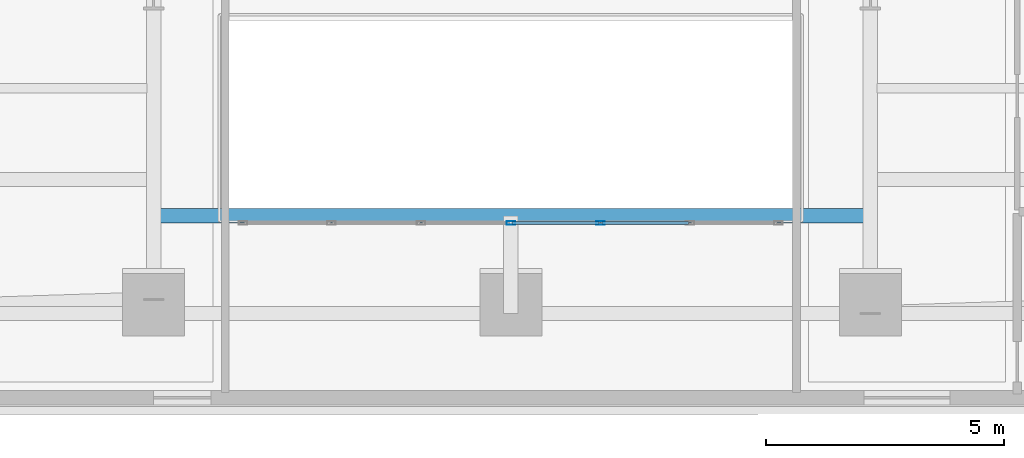
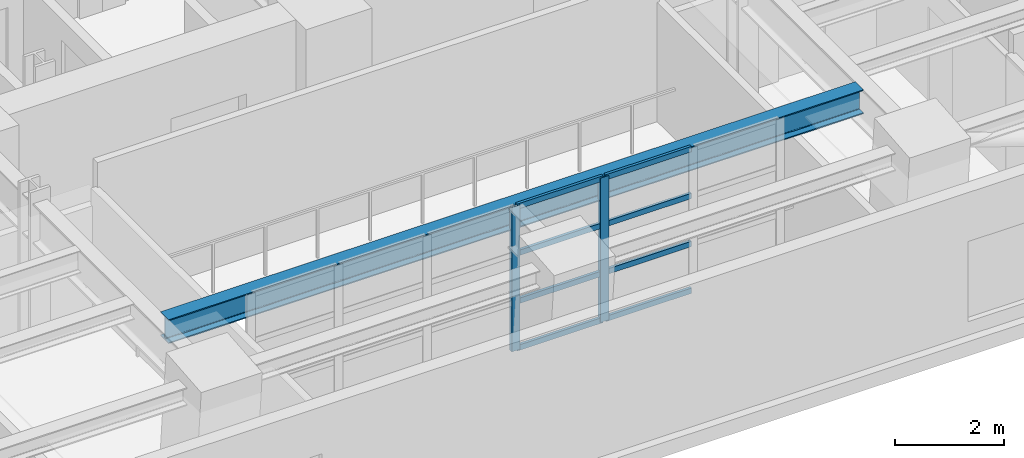
# One storey, part 3 of 16: 10 members, 1 beam, 1 element without a shape of its own.
"""IFC4 building model written with IfcOpenShell, lengths in metres."""

from ifc_helpers import new_model, si_unit, direction, frame, origin, origin_2d, place, context, subcontext, project, spatial, hollow_rectangle, i_section, extrude, material, layer, layer_set, material_profile, profile_set, type_object, element, aggregate, save


model = new_model("IFC4")

# Units and contexts
model_context = context("Model", 3, precision=1e-05, world=origin(), true_north=direction((0.0, 1.0)))
body_context = subcontext(model_context, "Body", "Model", "MODEL_VIEW")
ifc_project = project(units=[si_unit("LENGTHUNIT", "METRE"), si_unit("AREAUNIT", "SQUARE_METRE"), si_unit("VOLUMEUNIT", "CUBIC_METRE"), si_unit("PLANEANGLEUNIT", "RADIAN"), si_unit("MASSUNIT", "GRAM", prefix="KILO")], contexts=[model_context])

# Site, building, storey
site_placement = place(None, origin())
site = spatial("IfcSite", under=ifc_project, at=site_placement, CompositionType="ELEMENT")
building_placement = place(site_placement, origin())
building = spatial("IfcBuilding", under=site, at=building_placement, Name="Zarnavel Station Tower", CompositionType="ELEMENT")
storey_placement = place(building_placement, frame((0.0, 0.0, 79.300048828125)))
storey = spatial("IfcBuildingStorey", under=building, at=storey_placement, Name="L21", CompositionType="ELEMENT", Elevation=79.300048828125)

# Curtain wall, members
ifc_material_1 = material(Name="Aluminium Dark Anodised and Solar-Control Glass", Category="aluminium")
ifc_layer = layer(ifc_material_1, 0.179931640625)
ifc_layer_set = layer_set([ifc_layer], Name="CWS3")
curtain_wall_type = type_object("IfcCurtainWallType", Name="CWS3", PredefinedType="NOTDEFINED", material=ifc_layer_set)
curtain_wall_placement = place(storey_placement, origin())
curtain_wall = element("IfcCurtainWall", 1, at=curtain_wall_placement, inside=storey, type_object=curtain_wall_type, Name="L21 Curtain Wall CWS3-L21-AS", PredefinedType="NOTDEFINED")
ifc_material_2 = material(Name="Steel S355J2 (Black Fluoropolymer Coated)", Category="steel")
ifc_material_profile_1 = material_profile(ifc_material_2, hollow_rectangle(XDim=0.080078125, YDim=0.179931640625, WallThickness=0.00634765625, at=origin_2d()), Name="RHS180x80x6.3")
ifc_profile_set_1 = profile_set([ifc_material_profile_1], Name="Steel S355J2 (Black Fluoropolymer Coated)")
member_type_1 = type_object("IfcMemberType", Name="CWS3_MUL", PredefinedType="MULLION", material=ifc_profile_set_1)
member_1_placement = place(storey_placement, frame((28.800048828125, 20.64990234375, 0.0), z_axis=(0.0, 0.0, 1.0), x_axis=(0.0, 1.0, 0.0)))
member_1 = element("IfcMember", 2, at=member_1_placement, type_object=member_type_1, Name="CW3 mullion 4", PredefinedType="MULLION", context=body_context, shape_type="SweptSolid", body=[
    extrude(hollow_rectangle(XDim=0.080078125, YDim=0.179931640625, WallThickness=0.00634765625, at=origin_2d()), origin(), (0.0, 0.0, 1.0), 3.239990234375),
])
member_2_placement = place(storey_placement, frame((30.683349609375, 20.64990234375, 0.0), z_axis=(0.0, 0.0, 1.0), x_axis=(0.0, 1.0, 0.0)))
member_2 = element("IfcMember", 3, at=member_2_placement, type_object=member_type_1, Name="CW3 mullion 5", PredefinedType="MULLION", context=body_context, shape_type="SweptSolid", body=[
    extrude(hollow_rectangle(XDim=0.080078125, YDim=0.179931640625, WallThickness=0.00634765625, at=origin_2d()), origin(), (0.0, 0.0, 1.0), 3.239990234375),
])
ifc_material_3 = material(Name="Steel S355J2 (Black Fluoropolymer Coated)", Category="steel")
ifc_material_profile_2 = material_profile(ifc_material_3, hollow_rectangle(XDim=0.06005859375, YDim=0.1201171875, WallThickness=0.0048828125, at=origin_2d()), Name="RHS120x60x5")
ifc_profile_set_2 = profile_set([ifc_material_profile_2], Name="Steel S355J2 (Black Fluoropolymer Coated)")
member_type_2 = type_object("IfcMemberType", Name="CWS3_TRN", PredefinedType="USERDEFINED", material=ifc_profile_set_2)
member_3_placement = place(storey_placement, frame((28.830078125, 20.64990234375, 0.030029296875), z_axis=(1.0, 0.0, 0.0), x_axis=(0.0, 1.0, 0.0)))
member_3 = element("IfcMember", 4, at=member_3_placement, type_object=member_type_2, Name="CW3 transom 4.1", ObjectType="TRANSOM", PredefinedType="USERDEFINED", context=body_context, shape_type="SweptSolid", body=[
    extrude(hollow_rectangle(XDim=0.06005859375, YDim=0.1201171875, WallThickness=0.0048828125, at=origin_2d()), origin(), (0.0, 0.0, 1.0), 1.8232421875),
])
member_4_placement = place(storey_placement, frame((28.830078125, 20.64990234375, 1.079833984375), z_axis=(1.0, 0.0, 0.0), x_axis=(0.0, 1.0, 0.0)))
member_4 = element("IfcMember", 5, at=member_4_placement, type_object=member_type_2, Name="CW3 transom 4.2", ObjectType="TRANSOM", PredefinedType="USERDEFINED", context=body_context, shape_type="SweptSolid", body=[
    extrude(hollow_rectangle(XDim=0.06005859375, YDim=0.1201171875, WallThickness=0.0048828125, at=origin_2d()), origin(), (0.0, 0.0, 1.0), 1.8232421875),
])
member_5_placement = place(storey_placement, frame((28.830078125, 20.64990234375, 2.159912109375), z_axis=(1.0, 0.0, 0.0), x_axis=(0.0, 1.0, 0.0)))
member_5 = element("IfcMember", 6, at=member_5_placement, type_object=member_type_2, Name="CW3 transom 4.3", ObjectType="TRANSOM", PredefinedType="USERDEFINED", context=body_context, shape_type="SweptSolid", body=[
    extrude(hollow_rectangle(XDim=0.06005859375, YDim=0.1201171875, WallThickness=0.0048828125, at=origin_2d()), origin(), (0.0, 0.0, 1.0), 1.8232421875),
])
member_6_placement = place(storey_placement, frame((28.830078125, 20.64990234375, 3.2099609375), z_axis=(1.0, 0.0, 0.0), x_axis=(0.0, 1.0, 0.0)))
member_6 = element("IfcMember", 7, at=member_6_placement, type_object=member_type_2, Name="CW3 transom 4.4", ObjectType="TRANSOM", PredefinedType="USERDEFINED", context=body_context, shape_type="SweptSolid", body=[
    extrude(hollow_rectangle(XDim=0.06005859375, YDim=0.1201171875, WallThickness=0.0048828125, at=origin_2d()), origin(), (0.0, 0.0, 1.0), 1.8232421875),
])
member_7_placement = place(storey_placement, frame((30.71337890625, 20.64990234375, 0.030029296875), z_axis=(1.0, 0.0, 0.0), x_axis=(0.0, 1.0, 0.0)))
member_7 = element("IfcMember", 8, at=member_7_placement, type_object=member_type_2, Name="CW3 transom 5.1", ObjectType="TRANSOM", PredefinedType="USERDEFINED", context=body_context, shape_type="SweptSolid", body=[
    extrude(hollow_rectangle(XDim=0.06005859375, YDim=0.1201171875, WallThickness=0.0048828125, at=origin_2d()), origin(), (0.0, 0.0, 1.0), 1.8232421875),
])
member_8_placement = place(storey_placement, frame((30.71337890625, 20.64990234375, 1.079833984375), z_axis=(1.0, 0.0, 0.0), x_axis=(0.0, 1.0, 0.0)))
member_8 = element("IfcMember", 9, at=member_8_placement, type_object=member_type_2, Name="CW3 transom 5.2", ObjectType="TRANSOM", PredefinedType="USERDEFINED", context=body_context, shape_type="SweptSolid", body=[
    extrude(hollow_rectangle(XDim=0.06005859375, YDim=0.1201171875, WallThickness=0.0048828125, at=origin_2d()), origin(), (0.0, 0.0, 1.0), 1.8232421875),
])
member_9_placement = place(storey_placement, frame((30.71337890625, 20.64990234375, 2.159912109375), z_axis=(1.0, 0.0, 0.0), x_axis=(0.0, 1.0, 0.0)))
member_9 = element("IfcMember", 10, at=member_9_placement, type_object=member_type_2, Name="CW3 transom 5.3", ObjectType="TRANSOM", PredefinedType="USERDEFINED", context=body_context, shape_type="SweptSolid", body=[
    extrude(hollow_rectangle(XDim=0.06005859375, YDim=0.1201171875, WallThickness=0.0048828125, at=origin_2d()), origin(), (0.0, 0.0, 1.0), 1.8232421875),
])
member_10_placement = place(storey_placement, frame((30.71337890625, 20.64990234375, 3.2099609375), z_axis=(1.0, 0.0, 0.0), x_axis=(0.0, 1.0, 0.0)))
member_10 = element("IfcMember", 11, at=member_10_placement, type_object=member_type_2, Name="CW3 transom 5.4", ObjectType="TRANSOM", PredefinedType="USERDEFINED", context=body_context, shape_type="SweptSolid", body=[
    extrude(hollow_rectangle(XDim=0.06005859375, YDim=0.1201171875, WallThickness=0.0048828125, at=origin_2d()), origin(), (0.0, 0.0, 1.0), 1.8232421875),
])
aggregate(curtain_wall, [member_1, member_2, member_3, member_4, member_5, member_6, member_7, member_8, member_9, member_10])

# Beam
ifc_material_4 = material(Name="Steel S355J2", Category="steel")
ifc_material_profile_3 = material_profile(ifc_material_4, i_section(OverallWidth=0.300048828125, OverallDepth=0.5400390625, WebThickness=0.012451171875, FlangeThickness=0.02392578125, FilletRadius=0.027099609375, at=origin_2d()), Name="HEA550")
ifc_profile_set_3 = profile_set([ifc_material_profile_3], Name="Steel S355J2")
beam_type = type_object("IfcBeamType", Name="FB_HEA550", PredefinedType="BEAM", material=ifc_profile_set_3)
beam_placement = place(storey_placement, frame((21.445068359375, 20.800048828125, 2.969970703125), z_axis=(1.0, 0.0, 0.0), x_axis=(0.0, 1.0, 0.0)))
element("IfcBeam", 12, at=beam_placement, inside=storey, type_object=beam_type, Name="L21 Atrium South Edge Girder", PredefinedType="BEAM", context=body_context, shape_type="SweptSolid", body=[
    extrude(i_section(OverallWidth=0.300048828125, OverallDepth=0.5400390625, WebThickness=0.012451171875, FlangeThickness=0.02392578125, FilletRadius=0.027099609375, at=origin_2d()), origin(), (0.0, 0.0, 1.0), 14.760009765625),
])

save(model, "model.ifc")
